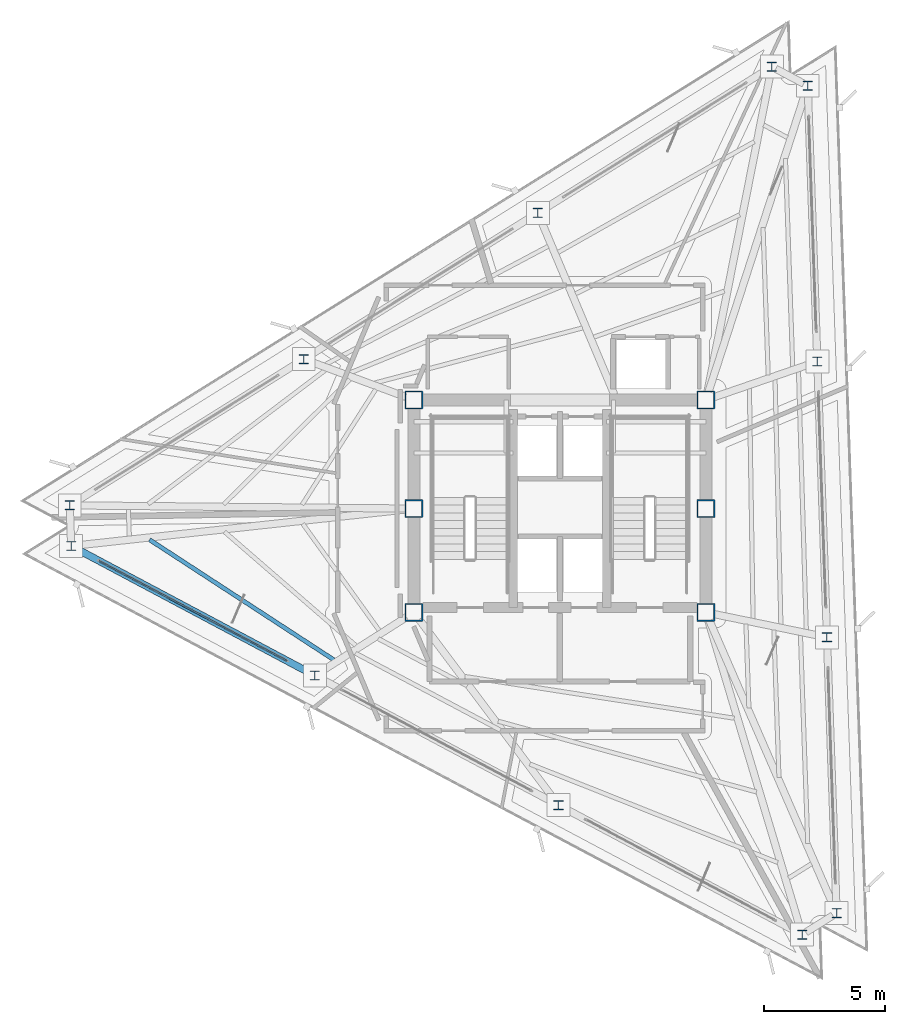
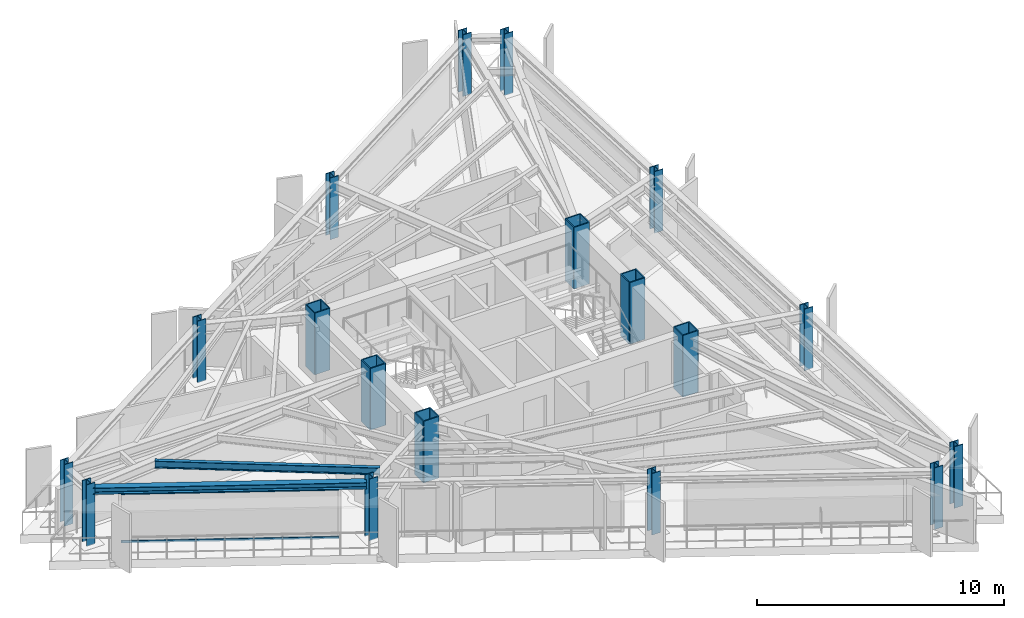
# One storey, part 1 of 13: 18 columns, 2 beams, 2 members, 1 element without a shape of its own.
"""IFC4 building model written with IfcOpenShell, lengths in metres."""

from ifc_helpers import new_model, si_unit, direction, frame, origin, origin_2d, place, context, subcontext, project, spatial, rectangle, hollow_rectangle, i_section, extrude, material, layer, layer_set, material_profile, profile_set, type_object, element, aggregate, save


model = new_model("IFC4")

# Units and contexts
model_context = context("Model", 3, precision=1e-05, world=origin(), true_north=direction((0.0, 1.0)))
body_context = subcontext(model_context, "Body", "Model", "MODEL_VIEW")
ifc_project = project(units=[si_unit("LENGTHUNIT", "METRE"), si_unit("AREAUNIT", "SQUARE_METRE"), si_unit("VOLUMEUNIT", "CUBIC_METRE"), si_unit("PLANEANGLEUNIT", "RADIAN"), si_unit("MASSUNIT", "GRAM", prefix="KILO")], contexts=[model_context])

# Site, building, storey
site_placement = place(None, origin())
site = spatial("IfcSite", under=ifc_project, at=site_placement, CompositionType="ELEMENT")
building_placement = place(site_placement, origin())
building = spatial("IfcBuilding", under=site, at=building_placement, Name="Rocaltana Carrier Exchange", CompositionType="ELEMENT")
storey_placement = place(building_placement, frame((0.0, 0.0, 193.60009765625)))
storey = spatial("IfcBuildingStorey", under=building, at=storey_placement, Name="L61", CompositionType="ELEMENT", Elevation=193.60009765625)

# Columns
ifc_material_1 = material(Name="Steel S460", Category="steel")
ifc_material_profile_1 = material_profile(ifc_material_1, hollow_rectangle(XDim=0.75, YDim=0.75, WallThickness=0.050048828125, InnerFilletRadius=0.02001953125, OuterFilletRadius=0.0400390625, at=origin_2d()), Name="BOX750X750X50")
ifc_profile_set_1 = profile_set([ifc_material_profile_1], Name="Steel S460")
column_type_1 = type_object("IfcColumnType", Name="Core Mega-Column BOX750", PredefinedType="COLUMN", material=ifc_profile_set_1)
for number, where, z_axis, x_axis, name in (
    (1, (-6.050048828125, 4.5, 0.0), (0.0, 0.0, 1.0), (1.0, 0.0, 0.0), "L61 Core Mega-Column MC1"),
    (2, (6.050048828125, 4.5, 0.0), (0.0, 0.0, 1.0), (1.0, 0.0, 0.0), "L61 Core Mega-Column MC2"),
    (3, (-6.050048828125, 0.0, 0.0), (0.0, 0.0, 1.0), (1.0, 0.0, 0.0), "L61 Core Mega-Column MC3"),
    (4, (6.050048828125, 0.0, 0.0), (0.0, 0.0, 1.0), (1.0, 0.0, 0.0), "L61 Core Mega-Column MC4"),
    (5, (-6.050048828125, -4.300048828125, 0.0), (0.0, 0.0, 1.0), (1.0, 0.0, 0.0), "L61 Core Mega-Column MC5"),
    (6, (6.050048828125, -4.300048828125, 0.0), (0.0, 0.0, 1.0), (1.0, 0.0, 0.0), "L61 Core Mega-Column MC6"),
):
    element("IfcColumn", number, at=place(storey_placement, frame(where, z_axis=z_axis, x_axis=x_axis)), inside=storey, type_object=column_type_1, Name=name, PredefinedType="COLUMN", context=body_context, shape_type="SweptSolid", body=[
        extrude(hollow_rectangle(XDim=0.75, YDim=0.75, WallThickness=0.050048828125, InnerFilletRadius=0.02001953125, OuterFilletRadius=0.0400390625, at=origin_2d()), origin(), (0.0, 0.0, 1.0), 3.039794921875),
    ])
ifc_material_2 = material(Name="Steel S355", Category="steel")
ifc_material_profile_2 = material_profile(ifc_material_2, i_section(OverallWidth=0.39794921875, OverallDepth=0.386962890625, WebThickness=0.02099609375, FlangeThickness=0.033203125, FilletRadius=0.01806640625, at=origin_2d()), Name="W14X176")
ifc_profile_set_2 = profile_set([ifc_material_profile_2], Name="Steel S355")
column_type_2 = type_object("IfcColumnType", Name="Perimeter Column W14X176", PredefinedType="COLUMN", material=ifc_profile_set_2)
for number, where, z_axis, x_axis, name in (
    (7, (11.46630859375, -16.760009765625, 0.0), (0.0, 0.0, 1.0), (1.0, 0.0, 0.0), "L61 Perimeter Column TC01"),
    (8, (11.067138671875, -5.333740234375, 0.0), (0.0, 0.0, 1.0), (1.0, 0.0, 0.0), "L61 Perimeter Column TC02"),
    (9, (10.668212890625, 6.0927734375, 0.0), (0.0, 0.0, 1.0), (1.0, 0.0, 0.0), "L61 Perimeter Column TC03"),
    (10, (10.269287109375, 17.51904296875, 0.0), (0.0, 0.0, 1.0), (1.0, 0.0, 0.0), "L61 Perimeter Column TC04"),
    (11, (8.781494140625, 18.31005859375, 0.0), (0.0, 0.0, 1.0), (1.0, 0.0, 0.0), "L61 Perimeter Column TC05"),
    (12, (-0.91455078125, 12.251220703125, 0.0), (0.0, 0.0, 1.0), (1.0, 0.0, 0.0), "L61 Perimeter Column TC06"),
    (13, (-10.610595703125, 6.192626953125, 0.0), (0.0, 0.0, 1.0), (1.0, 0.0, 0.0), "L61 Perimeter Column TC07"),
    (14, (-20.306640625, 0.1337890625, 0.0), (0.0, 0.0, 1.0), (1.0, 0.0, 0.0), "L61 Perimeter Column TC08"),
    (15, (-20.247802734375, -1.550048828125, 0.0), (0.0, 0.0, 1.0), (1.0, 0.0, 0.0), "L61 Perimeter Column TC09"),
    (16, (-10.152587890625, -6.917724609375, 0.0), (0.0, 0.0, 1.0), (1.0, 0.0, 0.0), "L61 Perimeter Column TC10"),
    (17, (-0.0576171875, -12.285400390625, 0.0), (0.0, 0.0, 1.0), (1.0, 0.0, 0.0), "L61 Perimeter Column TC11"),
    (18, (10.037353515625, -17.65283203125, 0.0), (0.0, 0.0, 1.0), (1.0, 0.0, 0.0), "L61 Perimeter Column TC12"),
):
    element("IfcColumn", number, at=place(storey_placement, frame(where, z_axis=z_axis, x_axis=x_axis)), inside=storey, type_object=column_type_2, Name=name, PredefinedType="COLUMN", context=body_context, shape_type="SweptSolid", body=[
        extrude(i_section(OverallWidth=0.39794921875, OverallDepth=0.386962890625, WebThickness=0.02099609375, FlangeThickness=0.033203125, FilletRadius=0.01806640625, at=origin_2d()), origin(), (0.0, 0.0, 1.0), 3.039794921875),
    ])

# Curtain wall, members
ifc_material_3 = material(Name="Aluminium 6063-T6", Category="aluminium")
ifc_layer = layer(ifc_material_3, 0.1201171875)
ifc_layer_set = layer_set([ifc_layer], Name="Aluminium 6063-T6")
curtain_wall_type = type_object("IfcCurtainWallType", Name="High-Altitude Thermal Curtain Wall CW-05", PredefinedType="NOTDEFINED", material=ifc_layer_set)
curtain_wall_placement = place(storey_placement, origin())
curtain_wall = element("IfcCurtainWall", 19, at=curtain_wall_placement, inside=storey, type_object=curtain_wall_type, Name="L61 CW-05 Run CW-L61-F3S1", PredefinedType="NOTDEFINED")
ifc_material_4 = material(Name="Aluminium 6063-T6", Category="aluminium")
ifc_material_profile_3 = material_profile(ifc_material_4, rectangle(XDim=0.06005859375, YDim=0.1201171875, at=origin_2d()), Name="AL-60X120")
ifc_profile_set_3 = profile_set([ifc_material_profile_3], Name="Aluminium 6063-T6")
member_type = type_object("IfcMemberType", Name="CW-05 Transom AL-60X120", PredefinedType="USERDEFINED", material=ifc_profile_set_3)
member_1_placement = place(storey_placement, frame((-19.091064453125, -2.1650390625, 0.02978515625), z_axis=(0.882944221824, -0.469477902726, 0.0), x_axis=(0.469477902726, 0.882944221824, 0.0)))
member_1 = element("IfcMember", 20, at=member_1_placement, type_object=member_type, Name="CW-05 transom 1.1", ObjectType="TRANSOM", PredefinedType="USERDEFINED", context=body_context, shape_type="SweptSolid", body=[
    extrude(rectangle(XDim=0.06005859375, YDim=0.1201171875, at=origin_2d()), origin(), (0.0, 0.0, 1.0), 8.8134765625),
])
member_2_placement = place(storey_placement, frame((-19.091064453125, -2.1650390625, 2.41796875), z_axis=(0.882944221824, -0.469477902726, 0.0), x_axis=(0.469477902726, 0.882944221824, 0.0)))
member_2 = element("IfcMember", 21, at=member_2_placement, type_object=member_type, Name="CW-05 transom 1.2", ObjectType="TRANSOM", PredefinedType="USERDEFINED", context=body_context, shape_type="SweptSolid", body=[
    extrude(rectangle(XDim=0.06005859375, YDim=0.1201171875, at=origin_2d()), origin(), (0.0, 0.0, 1.0), 8.8134765625),
])
aggregate(curtain_wall, [member_1, member_2])

# Beams
ifc_material_5 = material(Name="Steel S355", Category="steel")
ifc_material_profile_4 = material_profile(ifc_material_5, i_section(OverallWidth=0.172119140625, OverallDepth=0.35791015625, WebThickness=0.0078125, FlangeThickness=0.01318359375, FilletRadius=0.011962890625, at=origin_2d()), Name="W14X38")
ifc_profile_set_4 = profile_set([ifc_material_profile_4], Name="Steel S355")
beam_type_1 = type_object("IfcBeamType", Name="Floor Joist W14X38", PredefinedType="JOIST", material=ifc_profile_set_4)
beam_1_placement = place(storey_placement, frame((-17.003662109375, -1.28759765625, 2.618896484375), z_axis=(0.837735841747, -0.546075690223, 0.0), x_axis=(0.546075690223, 0.837735841747, 0.0)))
element("IfcBeam", 22, at=beam_1_placement, inside=storey, type_object=beam_type_1, Name="FJ-L61-09-3", PredefinedType="JOIST", context=body_context, shape_type="SweptSolid", body=[
    extrude(i_section(OverallWidth=0.172119140625, OverallDepth=0.35791015625, WebThickness=0.0078125, FlangeThickness=0.01318359375, FilletRadius=0.011962890625, at=origin_2d()), origin(), (0.0, 0.0, 1.0), 9.111572265625),
])
ifc_material_6 = material(Name="Steel S355", Category="steel")
ifc_material_profile_5 = material_profile(ifc_material_6, i_section(OverallWidth=0.300048828125, OverallDepth=0.320068359375, WebThickness=0.011474609375, FlangeThickness=0.0205078125, FilletRadius=0.027099609375, at=origin_2d()), Name="HEB320")
ifc_profile_set_5 = profile_set([ifc_material_profile_5], Name="Steel S355")
beam_type_2 = type_object("IfcBeamType", Name="Spandrel Edge Beam HEB320", PredefinedType="SPANDREL", material=ifc_profile_set_5)
beam_2_placement = place(storey_placement, frame((-20.083984375, -1.63720703125, 2.637939453125), z_axis=(0.882953364768, -0.469460707242, 0.0), x_axis=(0.469460707242, 0.882953364768, 0.0)))
element("IfcBeam", 23, at=beam_2_placement, inside=storey, type_object=beam_type_2, Name="SP-L61-09", PredefinedType="SPANDREL", context=body_context, shape_type="SweptSolid", body=[
    extrude(i_section(OverallWidth=0.300048828125, OverallDepth=0.320068359375, WebThickness=0.011474609375, FlangeThickness=0.0205078125, FilletRadius=0.027099609375, at=origin_2d()), origin(), (0.0, 0.0, 1.0), 11.0625),
])

save(model, "model.ifc")
